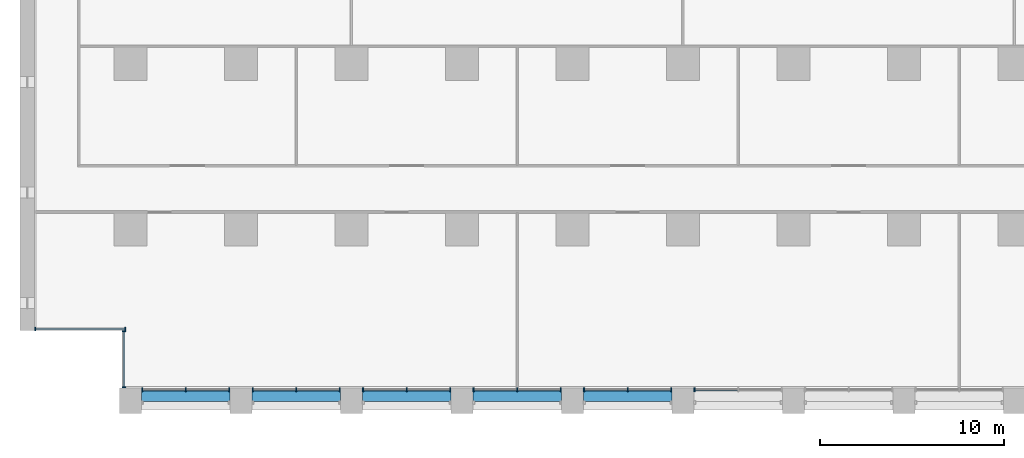
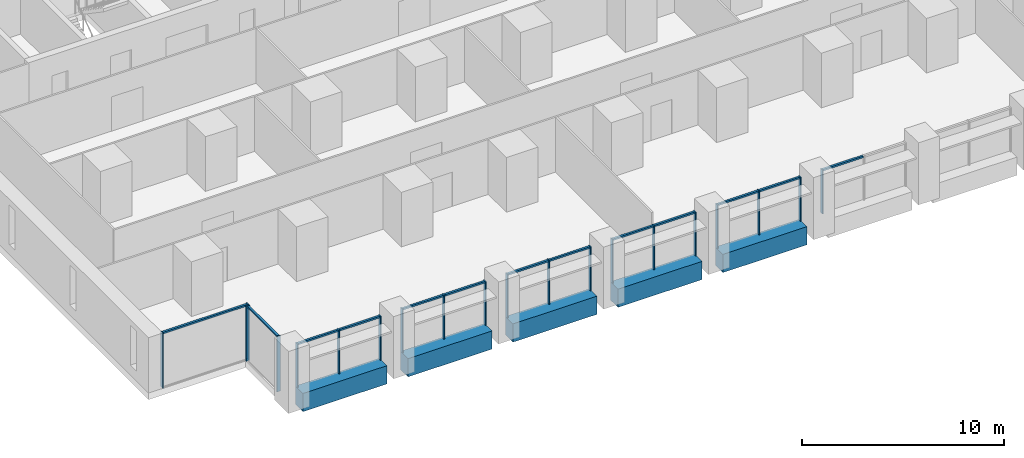
# One storey, part 2 of 18: 33 members, 5 beams, 8 elements without a shape of their own.
"""IFC4 building model written with IfcOpenShell, lengths in metres."""

from ifc_helpers import new_model, si_unit, direction, frame, origin, origin_2d, place, context, subcontext, project, spatial, rectangle, extrude, material, material_profile, profile_set, type_object, element, aggregate, save


model = new_model("IFC4")

# Units and contexts
model_context = context("Model", 3, precision=1e-05, world=origin(), true_north=direction((0.0, 1.0)))
body_context = subcontext(model_context, "Body", "Model", "MODEL_VIEW")
ifc_project = project(units=[si_unit("LENGTHUNIT", "METRE"), si_unit("AREAUNIT", "SQUARE_METRE"), si_unit("VOLUMEUNIT", "CUBIC_METRE"), si_unit("PLANEANGLEUNIT", "RADIAN"), si_unit("MASSUNIT", "GRAM", prefix="KILO")], contexts=[model_context])

# Site, building, storey
site_placement = place(None, origin())
site = spatial("IfcSite", under=ifc_project, at=site_placement, CompositionType="ELEMENT")
building_placement = place(site_placement, origin())
building = spatial("IfcBuilding", under=site, at=building_placement, Name="Calvaro Tower", CompositionType="ELEMENT")
storey_placement = place(building_placement, frame((0.0, 0.0, 30.0)))
storey = spatial("IfcBuildingStorey", under=building, at=storey_placement, Name="L06", CompositionType="ELEMENT", Elevation=30.0)

# Curtain wall, members
ifc_material_1 = material(Name="Anodised aluminium", Category="aluminium")
curtain_wall_type = type_object("IfcCurtainWallType", Name="Office curtain wall, lower zone", PredefinedType="NOTDEFINED", material=ifc_material_1)
curtain_wall_1_placement = place(storey_placement, origin())
curtain_wall_1 = element("IfcCurtainWall", 1, at=curtain_wall_1_placement, inside=storey, type_object=curtain_wall_type, Name="CW1 south curtain wall", PredefinedType="NOTDEFINED")
ifc_material_2 = material(Name="Anodised aluminium", Category="aluminium")
ifc_material_profile_1 = material_profile(ifc_material_2, rectangle(XDim=0.199951171875, YDim=0.06005859375, at=origin_2d()), Name="Mullion S1 60 x 200")
ifc_profile_set_1 = profile_set([ifc_material_profile_1], Name="Anodised aluminium")
member_type_1 = type_object("IfcMemberType", Name="Mullion S1 60 x 200", PredefinedType="MULLION", material=ifc_profile_set_1)
member_1_placement = place(storey_placement, frame((6.6298828125, 1.300048828125, 0.0), z_axis=(0.0, 0.0, 1.0), x_axis=(0.0, 1.0, 0.0)))
member_1 = element("IfcMember", 2, at=member_1_placement, type_object=member_type_1, Name="CW1 mullion 1", PredefinedType="MULLION", context=body_context, shape_type="SweptSolid", body=[
    extrude(rectangle(XDim=0.199951171875, YDim=0.06005859375, at=origin_2d()), origin(), (0.0, 0.0, 1.0), 2.64990234375),
])
member_2_placement = place(storey_placement, frame((9.0, 1.300048828125, 0.0), z_axis=(0.0, 0.0, 1.0), x_axis=(0.0, 1.0, 0.0)))
member_2 = element("IfcMember", 3, at=member_2_placement, type_object=member_type_1, Name="CW1 mullion 2", PredefinedType="MULLION", context=body_context, shape_type="SweptSolid", body=[
    extrude(rectangle(XDim=0.199951171875, YDim=0.06005859375, at=origin_2d()), origin(), (0.0, 0.0, 1.0), 2.64990234375),
])
member_3_placement = place(storey_placement, frame((11.3701171875, 1.300048828125, 0.0), z_axis=(0.0, 0.0, 1.0), x_axis=(0.0, 1.0, 0.0)))
member_3 = element("IfcMember", 4, at=member_3_placement, type_object=member_type_1, Name="CW1 mullion 3", PredefinedType="MULLION", context=body_context, shape_type="SweptSolid", body=[
    extrude(rectangle(XDim=0.199951171875, YDim=0.06005859375, at=origin_2d()), origin(), (0.0, 0.0, 1.0), 2.64990234375),
])

curtain_wall_2_placement = place(storey_placement, origin())
curtain_wall_2 = element("IfcCurtainWall", 5, at=curtain_wall_2_placement, inside=storey, type_object=curtain_wall_type, Name="CW1 south curtain wall", PredefinedType="NOTDEFINED")
member_4_placement = place(storey_placement, frame((12.6298828125, 1.300048828125, 0.0), z_axis=(0.0, 0.0, 1.0), x_axis=(0.0, 1.0, 0.0)))
member_4 = element("IfcMember", 6, at=member_4_placement, type_object=member_type_1, Name="CW1 mullion 1", PredefinedType="MULLION", context=body_context, shape_type="SweptSolid", body=[
    extrude(rectangle(XDim=0.199951171875, YDim=0.06005859375, at=origin_2d()), origin(), (0.0, 0.0, 1.0), 2.64990234375),
])
member_5_placement = place(storey_placement, frame((15.0, 1.300048828125, 0.0), z_axis=(0.0, 0.0, 1.0), x_axis=(0.0, 1.0, 0.0)))
member_5 = element("IfcMember", 7, at=member_5_placement, type_object=member_type_1, Name="CW1 mullion 2", PredefinedType="MULLION", context=body_context, shape_type="SweptSolid", body=[
    extrude(rectangle(XDim=0.199951171875, YDim=0.06005859375, at=origin_2d()), origin(), (0.0, 0.0, 1.0), 2.64990234375),
])
member_6_placement = place(storey_placement, frame((17.3701171875, 1.300048828125, 0.0), z_axis=(0.0, 0.0, 1.0), x_axis=(0.0, 1.0, 0.0)))
member_6 = element("IfcMember", 8, at=member_6_placement, type_object=member_type_1, Name="CW1 mullion 3", PredefinedType="MULLION", context=body_context, shape_type="SweptSolid", body=[
    extrude(rectangle(XDim=0.199951171875, YDim=0.06005859375, at=origin_2d()), origin(), (0.0, 0.0, 1.0), 2.64990234375),
])

curtain_wall_3_placement = place(storey_placement, origin())
curtain_wall_3 = element("IfcCurtainWall", 9, at=curtain_wall_3_placement, inside=storey, type_object=curtain_wall_type, Name="CW1 south curtain wall", PredefinedType="NOTDEFINED")
member_7_placement = place(storey_placement, frame((18.6298828125, 1.300048828125, 0.0), z_axis=(0.0, 0.0, 1.0), x_axis=(0.0, 1.0, 0.0)))
member_7 = element("IfcMember", 10, at=member_7_placement, type_object=member_type_1, Name="CW1 mullion 1", PredefinedType="MULLION", context=body_context, shape_type="SweptSolid", body=[
    extrude(rectangle(XDim=0.199951171875, YDim=0.06005859375, at=origin_2d()), origin(), (0.0, 0.0, 1.0), 2.64990234375),
])
member_8_placement = place(storey_placement, frame((21.0, 1.300048828125, 0.0), z_axis=(0.0, 0.0, 1.0), x_axis=(0.0, 1.0, 0.0)))
member_8 = element("IfcMember", 11, at=member_8_placement, type_object=member_type_1, Name="CW1 mullion 2", PredefinedType="MULLION", context=body_context, shape_type="SweptSolid", body=[
    extrude(rectangle(XDim=0.199951171875, YDim=0.06005859375, at=origin_2d()), origin(), (0.0, 0.0, 1.0), 2.64990234375),
])
member_9_placement = place(storey_placement, frame((23.3701171875, 1.300048828125, 0.0), z_axis=(0.0, 0.0, 1.0), x_axis=(0.0, 1.0, 0.0)))
member_9 = element("IfcMember", 12, at=member_9_placement, type_object=member_type_1, Name="CW1 mullion 3", PredefinedType="MULLION", context=body_context, shape_type="SweptSolid", body=[
    extrude(rectangle(XDim=0.199951171875, YDim=0.06005859375, at=origin_2d()), origin(), (0.0, 0.0, 1.0), 2.64990234375),
])

curtain_wall_4_placement = place(storey_placement, origin())
curtain_wall_4 = element("IfcCurtainWall", 13, at=curtain_wall_4_placement, inside=storey, type_object=curtain_wall_type, Name="CW1 south curtain wall", PredefinedType="NOTDEFINED")
member_10_placement = place(storey_placement, frame((24.6298828125, 1.300048828125, 0.0), z_axis=(0.0, 0.0, 1.0), x_axis=(0.0, 1.0, 0.0)))
member_10 = element("IfcMember", 14, at=member_10_placement, type_object=member_type_1, Name="CW1 mullion 1", PredefinedType="MULLION", context=body_context, shape_type="SweptSolid", body=[
    extrude(rectangle(XDim=0.199951171875, YDim=0.06005859375, at=origin_2d()), origin(), (0.0, 0.0, 1.0), 2.64990234375),
])
member_11_placement = place(storey_placement, frame((27.0, 1.300048828125, 0.0), z_axis=(0.0, 0.0, 1.0), x_axis=(0.0, 1.0, 0.0)))
member_11 = element("IfcMember", 15, at=member_11_placement, type_object=member_type_1, Name="CW1 mullion 2", PredefinedType="MULLION", context=body_context, shape_type="SweptSolid", body=[
    extrude(rectangle(XDim=0.199951171875, YDim=0.06005859375, at=origin_2d()), origin(), (0.0, 0.0, 1.0), 2.64990234375),
])
member_12_placement = place(storey_placement, frame((29.3701171875, 1.300048828125, 0.0), z_axis=(0.0, 0.0, 1.0), x_axis=(0.0, 1.0, 0.0)))
member_12 = element("IfcMember", 16, at=member_12_placement, type_object=member_type_1, Name="CW1 mullion 3", PredefinedType="MULLION", context=body_context, shape_type="SweptSolid", body=[
    extrude(rectangle(XDim=0.199951171875, YDim=0.06005859375, at=origin_2d()), origin(), (0.0, 0.0, 1.0), 2.64990234375),
])

curtain_wall_5_placement = place(storey_placement, origin())
curtain_wall_5 = element("IfcCurtainWall", 17, at=curtain_wall_5_placement, inside=storey, type_object=curtain_wall_type, Name="CW1 south curtain wall", PredefinedType="NOTDEFINED")
member_13_placement = place(storey_placement, frame((30.6298828125, 1.300048828125, 0.0), z_axis=(0.0, 0.0, 1.0), x_axis=(0.0, 1.0, 0.0)))
member_13 = element("IfcMember", 18, at=member_13_placement, type_object=member_type_1, Name="CW1 mullion 1", PredefinedType="MULLION", context=body_context, shape_type="SweptSolid", body=[
    extrude(rectangle(XDim=0.199951171875, YDim=0.06005859375, at=origin_2d()), origin(), (0.0, 0.0, 1.0), 2.64990234375),
])
member_14_placement = place(storey_placement, frame((33.0, 1.300048828125, 0.0), z_axis=(0.0, 0.0, 1.0), x_axis=(0.0, 1.0, 0.0)))
member_14 = element("IfcMember", 19, at=member_14_placement, type_object=member_type_1, Name="CW1 mullion 2", PredefinedType="MULLION", context=body_context, shape_type="SweptSolid", body=[
    extrude(rectangle(XDim=0.199951171875, YDim=0.06005859375, at=origin_2d()), origin(), (0.0, 0.0, 1.0), 2.64990234375),
])
member_15_placement = place(storey_placement, frame((35.3701171875, 1.300048828125, 0.0), z_axis=(0.0, 0.0, 1.0), x_axis=(0.0, 1.0, 0.0)))
member_15 = element("IfcMember", 20, at=member_15_placement, type_object=member_type_1, Name="CW1 mullion 3", PredefinedType="MULLION", context=body_context, shape_type="SweptSolid", body=[
    extrude(rectangle(XDim=0.199951171875, YDim=0.06005859375, at=origin_2d()), origin(), (0.0, 0.0, 1.0), 2.64990234375),
])

# Curtain wall, member
curtain_wall_6_placement = place(storey_placement, origin())
curtain_wall_6 = element("IfcCurtainWall", 21, at=curtain_wall_6_placement, inside=storey, type_object=curtain_wall_type, Name="CW1 south curtain wall", PredefinedType="NOTDEFINED")
member_16_placement = place(storey_placement, frame((36.6298828125, 1.300048828125, 0.0), z_axis=(0.0, 0.0, 1.0), x_axis=(0.0, 1.0, 0.0)))
member_16 = element("IfcMember", 22, at=member_16_placement, type_object=member_type_1, Name="CW1 mullion 1", PredefinedType="MULLION", context=body_context, shape_type="SweptSolid", body=[
    extrude(rectangle(XDim=0.199951171875, YDim=0.06005859375, at=origin_2d()), origin(), (0.0, 0.0, 1.0), 2.64990234375),
])

# Curtain wall, members
curtain_wall_7_placement = place(storey_placement, origin())
curtain_wall_7 = element("IfcCurtainWall", 23, at=curtain_wall_7_placement, inside=storey, type_object=curtain_wall_type, Name="CW1 corner curtain wall", PredefinedType="NOTDEFINED")
member_17_placement = place(storey_placement, frame((5.64990234375, 1.429931640625, 0.0), z_axis=(0.0, 0.0, 1.0), x_axis=(-1.0, 0.0, 0.0)))
member_17 = element("IfcMember", 24, at=member_17_placement, type_object=member_type_1, Name="CW1 mullion 1", PredefinedType="MULLION", context=body_context, shape_type="SweptSolid", body=[
    extrude(rectangle(XDim=0.199951171875, YDim=0.06005859375, at=origin_2d()), origin(), (0.0, 0.0, 1.0), 3.35009765625),
])
member_18_placement = place(storey_placement, frame((5.64990234375, 4.469970703125, 0.0), z_axis=(0.0, 0.0, 1.0), x_axis=(-1.0, 0.0, 0.0)))
member_18 = element("IfcMember", 25, at=member_18_placement, type_object=member_type_1, Name="CW1 mullion 2", PredefinedType="MULLION", context=body_context, shape_type="SweptSolid", body=[
    extrude(rectangle(XDim=0.199951171875, YDim=0.06005859375, at=origin_2d()), origin(), (0.0, 0.0, 1.0), 3.35009765625),
])

curtain_wall_8_placement = place(storey_placement, origin())
curtain_wall_8 = element("IfcCurtainWall", 26, at=curtain_wall_8_placement, inside=storey, type_object=curtain_wall_type, Name="CW1 corner curtain wall", PredefinedType="NOTDEFINED")
member_19_placement = place(storey_placement, frame((0.830078125, 4.60009765625, 0.0), z_axis=(0.0, 0.0, 1.0), x_axis=(0.0, 1.0, 0.0)))
member_19 = element("IfcMember", 27, at=member_19_placement, type_object=member_type_1, Name="CW1 mullion 1", PredefinedType="MULLION", context=body_context, shape_type="SweptSolid", body=[
    extrude(rectangle(XDim=0.199951171875, YDim=0.06005859375, at=origin_2d()), origin(), (0.0, 0.0, 1.0), 3.35009765625),
])
member_20_placement = place(storey_placement, frame((5.719970703125, 4.60009765625, 0.0), z_axis=(0.0, 0.0, 1.0), x_axis=(0.0, 1.0, 0.0)))
member_20 = element("IfcMember", 28, at=member_20_placement, type_object=member_type_1, Name="CW1 mullion 2", PredefinedType="MULLION", context=body_context, shape_type="SweptSolid", body=[
    extrude(rectangle(XDim=0.199951171875, YDim=0.06005859375, at=origin_2d()), origin(), (0.0, 0.0, 1.0), 3.35009765625),
])

# Beams
ifc_material_3 = material(Name="Concrete C50/60 precast", Category="concrete")
ifc_material_profile_2 = material_profile(ifc_material_3, rectangle(XDim=0.75, YDim=1.10009765625, at=origin_2d()), Name="RC 750x1100")
ifc_profile_set_2 = profile_set([ifc_material_profile_2], Name="Concrete C50/60 precast")
beam_type = type_object("IfcBeamType", Name="Spandrel beam 750x1100 C50/60", PredefinedType="SPANDREL", material=ifc_profile_set_2)
for number, where, z_axis, x_axis, name in (
    (29, (6.60009765625, 1.02490234375, -0.550048828125), (1.0, 0.0, 0.0), (0.0, 1.0, 0.0), "Spandrel beam"),
    (30, (12.60009765625, 1.02490234375, -0.550048828125), (1.0, 0.0, 0.0), (0.0, 1.0, 0.0), "Spandrel beam"),
    (31, (18.60009765625, 1.02490234375, -0.550048828125), (1.0, 0.0, 0.0), (0.0, 1.0, 0.0), "Spandrel beam"),
    (32, (24.60009765625, 1.02490234375, -0.550048828125), (1.0, 0.0, 0.0), (0.0, 1.0, 0.0), "Spandrel beam"),
    (33, (30.60009765625, 1.02490234375, -0.550048828125), (1.0, 0.0, 0.0), (0.0, 1.0, 0.0), "Spandrel beam"),
):
    element("IfcBeam", number, at=place(storey_placement, frame(where, z_axis=z_axis, x_axis=x_axis)), inside=storey, type_object=beam_type, Name=name, PredefinedType="SPANDREL", context=body_context, shape_type="SweptSolid", body=[
        extrude(rectangle(XDim=0.75, YDim=1.10009765625, at=origin_2d()), origin(), (0.0, 0.0, 1.0), 4.7998046875),
    ])

# Member
ifc_material_4 = material(Name="Anodised aluminium", Category="aluminium")
ifc_material_profile_3 = material_profile(ifc_material_4, rectangle(XDim=0.1201171875, YDim=0.10009765625, at=origin_2d()), Name="Transom S1 100 x 120")
ifc_profile_set_3 = profile_set([ifc_material_profile_3], Name="Anodised aluminium")
member_type_2 = type_object("IfcMemberType", Name="Transom S1 100 x 120", PredefinedType="USERDEFINED", material=ifc_profile_set_3)
member_21_placement = place(storey_placement, frame((6.659912109375, 1.300048828125, 2.60009765625), z_axis=(1.0, 0.0, 0.0), x_axis=(0.0, 1.0, 0.0)))
member_21 = element("IfcMember", 34, at=member_21_placement, type_object=member_type_2, Name="CW1 transom 1.1", ObjectType="TRANSOM", PredefinedType="USERDEFINED", context=body_context, shape_type="SweptSolid", body=[
    extrude(rectangle(XDim=0.1201171875, YDim=0.10009765625, at=origin_2d()), origin(), (0.0, 0.0, 1.0), 2.31005859375),
])

member_22_placement = place(storey_placement, frame((9.030029296875, 1.300048828125, 2.60009765625), z_axis=(1.0, 0.0, 0.0), x_axis=(0.0, 1.0, 0.0)))
member_22 = element("IfcMember", 35, at=member_22_placement, type_object=member_type_2, Name="CW1 transom 2.1", ObjectType="TRANSOM", PredefinedType="USERDEFINED", context=body_context, shape_type="SweptSolid", body=[
    extrude(rectangle(XDim=0.1201171875, YDim=0.10009765625, at=origin_2d()), origin(), (0.0, 0.0, 1.0), 2.31005859375),
])

aggregate(curtain_wall_1, [member_1, member_2, member_3, member_21, member_22])

member_23_placement = place(storey_placement, frame((12.659912109375, 1.300048828125, 2.60009765625), z_axis=(1.0, 0.0, 0.0), x_axis=(0.0, 1.0, 0.0)))
member_23 = element("IfcMember", 36, at=member_23_placement, type_object=member_type_2, Name="CW1 transom 1.1", ObjectType="TRANSOM", PredefinedType="USERDEFINED", context=body_context, shape_type="SweptSolid", body=[
    extrude(rectangle(XDim=0.1201171875, YDim=0.10009765625, at=origin_2d()), origin(), (0.0, 0.0, 1.0), 2.31005859375),
])

member_24_placement = place(storey_placement, frame((15.030029296875, 1.300048828125, 2.60009765625), z_axis=(1.0, 0.0, 0.0), x_axis=(0.0, 1.0, 0.0)))
member_24 = element("IfcMember", 37, at=member_24_placement, type_object=member_type_2, Name="CW1 transom 2.1", ObjectType="TRANSOM", PredefinedType="USERDEFINED", context=body_context, shape_type="SweptSolid", body=[
    extrude(rectangle(XDim=0.1201171875, YDim=0.10009765625, at=origin_2d()), origin(), (0.0, 0.0, 1.0), 2.31005859375),
])

aggregate(curtain_wall_2, [member_4, member_5, member_6, member_23, member_24])

member_25_placement = place(storey_placement, frame((18.659912109375, 1.300048828125, 2.60009765625), z_axis=(1.0, 0.0, 0.0), x_axis=(0.0, 1.0, 0.0)))
member_25 = element("IfcMember", 38, at=member_25_placement, type_object=member_type_2, Name="CW1 transom 1.1", ObjectType="TRANSOM", PredefinedType="USERDEFINED", context=body_context, shape_type="SweptSolid", body=[
    extrude(rectangle(XDim=0.1201171875, YDim=0.10009765625, at=origin_2d()), origin(), (0.0, 0.0, 1.0), 2.31005859375),
])

member_26_placement = place(storey_placement, frame((21.030029296875, 1.300048828125, 2.60009765625), z_axis=(1.0, 0.0, 0.0), x_axis=(0.0, 1.0, 0.0)))
member_26 = element("IfcMember", 39, at=member_26_placement, type_object=member_type_2, Name="CW1 transom 2.1", ObjectType="TRANSOM", PredefinedType="USERDEFINED", context=body_context, shape_type="SweptSolid", body=[
    extrude(rectangle(XDim=0.1201171875, YDim=0.10009765625, at=origin_2d()), origin(), (0.0, 0.0, 1.0), 2.31005859375),
])

aggregate(curtain_wall_3, [member_7, member_8, member_9, member_25, member_26])

member_27_placement = place(storey_placement, frame((24.659912109375, 1.300048828125, 2.60009765625), z_axis=(1.0, 0.0, 0.0), x_axis=(0.0, 1.0, 0.0)))
member_27 = element("IfcMember", 40, at=member_27_placement, type_object=member_type_2, Name="CW1 transom 1.1", ObjectType="TRANSOM", PredefinedType="USERDEFINED", context=body_context, shape_type="SweptSolid", body=[
    extrude(rectangle(XDim=0.1201171875, YDim=0.10009765625, at=origin_2d()), origin(), (0.0, 0.0, 1.0), 2.31005859375),
])

member_28_placement = place(storey_placement, frame((27.030029296875, 1.300048828125, 2.60009765625), z_axis=(1.0, 0.0, 0.0), x_axis=(0.0, 1.0, 0.0)))
member_28 = element("IfcMember", 41, at=member_28_placement, type_object=member_type_2, Name="CW1 transom 2.1", ObjectType="TRANSOM", PredefinedType="USERDEFINED", context=body_context, shape_type="SweptSolid", body=[
    extrude(rectangle(XDim=0.1201171875, YDim=0.10009765625, at=origin_2d()), origin(), (0.0, 0.0, 1.0), 2.31005859375),
])

aggregate(curtain_wall_4, [member_10, member_11, member_12, member_27, member_28])

member_29_placement = place(storey_placement, frame((30.659912109375, 1.300048828125, 2.60009765625), z_axis=(1.0, 0.0, 0.0), x_axis=(0.0, 1.0, 0.0)))
member_29 = element("IfcMember", 42, at=member_29_placement, type_object=member_type_2, Name="CW1 transom 1.1", ObjectType="TRANSOM", PredefinedType="USERDEFINED", context=body_context, shape_type="SweptSolid", body=[
    extrude(rectangle(XDim=0.1201171875, YDim=0.10009765625, at=origin_2d()), origin(), (0.0, 0.0, 1.0), 2.31005859375),
])

member_30_placement = place(storey_placement, frame((33.030029296875, 1.300048828125, 2.60009765625), z_axis=(1.0, 0.0, 0.0), x_axis=(0.0, 1.0, 0.0)))
member_30 = element("IfcMember", 43, at=member_30_placement, type_object=member_type_2, Name="CW1 transom 2.1", ObjectType="TRANSOM", PredefinedType="USERDEFINED", context=body_context, shape_type="SweptSolid", body=[
    extrude(rectangle(XDim=0.1201171875, YDim=0.10009765625, at=origin_2d()), origin(), (0.0, 0.0, 1.0), 2.31005859375),
])

aggregate(curtain_wall_5, [member_13, member_14, member_15, member_29, member_30])

member_31_placement = place(storey_placement, frame((36.659912109375, 1.300048828125, 2.60009765625), z_axis=(1.0, 0.0, 0.0), x_axis=(0.0, 1.0, 0.0)))
member_31 = element("IfcMember", 44, at=member_31_placement, type_object=member_type_2, Name="CW1 transom 1.1", ObjectType="TRANSOM", PredefinedType="USERDEFINED", context=body_context, shape_type="SweptSolid", body=[
    extrude(rectangle(XDim=0.1201171875, YDim=0.10009765625, at=origin_2d()), origin(), (0.0, 0.0, 1.0), 2.31005859375),
])

aggregate(curtain_wall_6, [member_16, member_31])

member_32_placement = place(storey_placement, frame((5.64990234375, 1.4599609375, 3.300048828125), z_axis=(0.0, 1.0, 0.0), x_axis=(-1.0, 0.0, 0.0)))
member_32 = element("IfcMember", 45, at=member_32_placement, type_object=member_type_2, Name="CW1 transom 1.1", ObjectType="TRANSOM", PredefinedType="USERDEFINED", context=body_context, shape_type="SweptSolid", body=[
    extrude(rectangle(XDim=0.1201171875, YDim=0.10009765625, at=origin_2d()), origin(), (0.0, 0.0, 1.0), 2.97998046875),
])

aggregate(curtain_wall_7, [member_17, member_18, member_32])

member_33_placement = place(storey_placement, frame((0.860107421875, 4.60009765625, 3.300048828125), z_axis=(1.0, 0.0, 0.0), x_axis=(0.0, 1.0, 0.0)))
member_33 = element("IfcMember", 46, at=member_33_placement, type_object=member_type_2, Name="CW1 transom 1.1", ObjectType="TRANSOM", PredefinedType="USERDEFINED", context=body_context, shape_type="SweptSolid", body=[
    extrude(rectangle(XDim=0.1201171875, YDim=0.10009765625, at=origin_2d()), origin(), (0.0, 0.0, 1.0), 4.829833984375),
])

aggregate(curtain_wall_8, [member_19, member_20, member_33])

save(model, "model.ifc")
